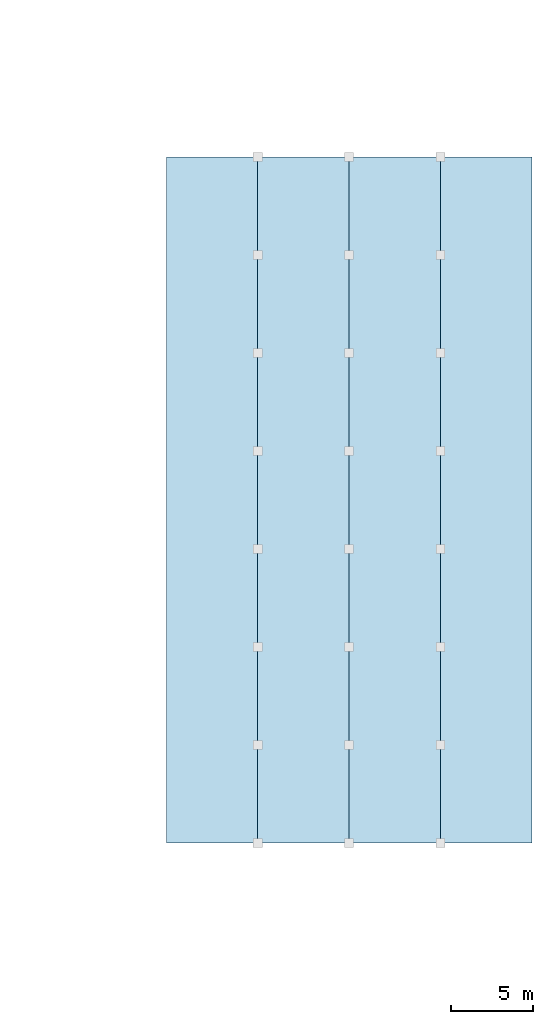
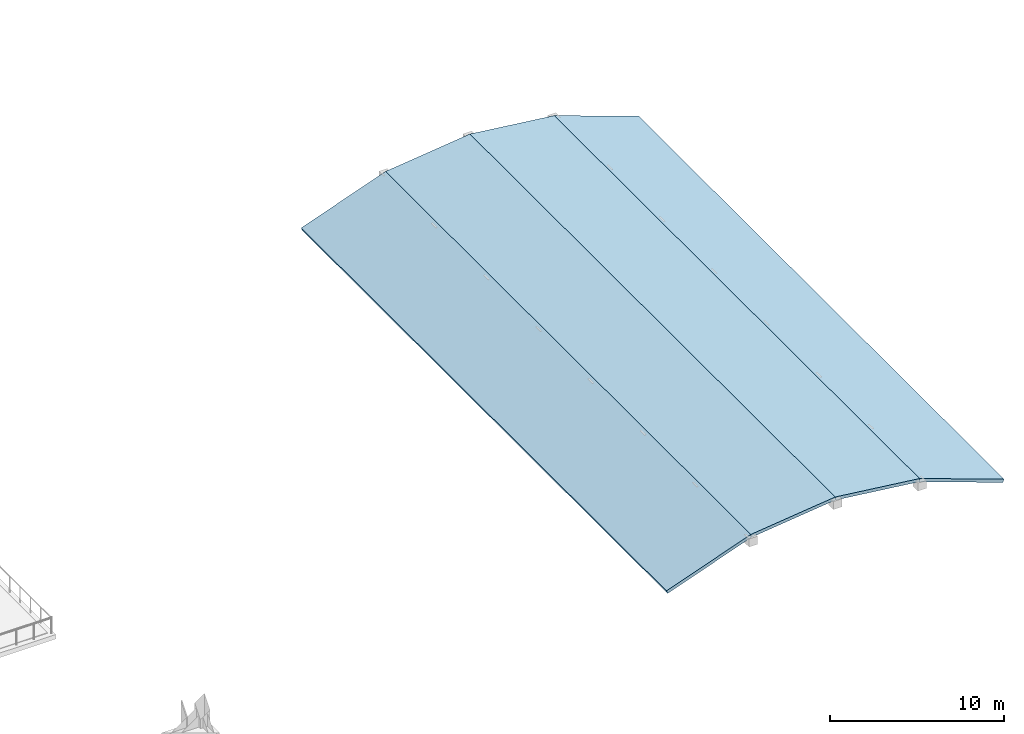
# One storey, part 58 of 90: 4 slabs.
"""IFC4 building model written with IfcOpenShell, lengths in metres."""

import ifcopenshell
import ifcopenshell.guid

model = None  # the IFC model being written
_history = None  # IfcOwnerHistory: only IFC2X3 demands one
_inside = {}  # id of a spatial element -> (the spatial element, [elements in it])
_under = {}  # id of a project, library or spatial element -> (it, [spatial elements below it])
_declared = {}  # id of a project -> (the project, [libraries it declares])
_typed = {}  # id of a type object -> (the type object, [elements of that type])
_made_of = {}  # id of a material, layer set ... -> (it, [elements and type objects made of it])


def new_model(schema):
    """Start an empty IFC model of exactly this schema.

    Asked for "IFC4X3", IfcOpenShell would pick the latest addendum, in which some entities
    have other attributes; the version numbers below select the first issue.
    IFC2X3 requires an IfcOwnerHistory on every rooted entity: one is made here for all.
    """
    global model, _history
    if schema == "IFC4X3":
        model = ifcopenshell.file(schema_version=(4, 3, 0, 0))
    else:
        model = ifcopenshell.file(schema=schema)
    _inside.clear()
    _under.clear()
    _declared.clear()
    _typed.clear()
    _made_of.clear()
    _history = None
    if model.schema == "IFC2X3":
        org = make("IfcOrganization", Name="unknown")
        user = make(
            "IfcPersonAndOrganization",
            ThePerson=make("IfcPerson", FamilyName="unknown"),
            TheOrganization=org,
        )
        app = make(
            "IfcApplication",
            ApplicationDeveloper=org,
            Version="unknown",
            ApplicationFullName="unknown",
            ApplicationIdentifier="unknown",
        )
        _history = make(
            "IfcOwnerHistory",
            OwningUser=user,
            OwningApplication=app,
            ChangeAction="ADDED",
            CreationDate=0,
        )
    return model


def make(cls, **values):
    """One entity of the class cls with the attributes given. An attribute that is None is left unset."""
    return model.create_entity(
        cls, **{name: value for name, value in values.items() if value is not None}
    )


def rooted(cls, **values):
    """An entity with a GlobalId (a new one), such as an element, a storey or a relation."""
    return make(cls, GlobalId=ifcopenshell.guid.new(), OwnerHistory=_history, **values)


def si_unit(unit_type, name, prefix=None):
    """IfcSIUnit, for example si_unit("LENGTHUNIT", "METRE", prefix="MILLI")."""
    return make("IfcSIUnit", UnitType=unit_type, Prefix=prefix, Name=name)


def assignment(units):
    """IfcUnitAssignment: the units of a project."""
    return None if units is None else make("IfcUnitAssignment", Units=units)


def point(xyz):
    """IfcCartesianPoint."""
    return None if xyz is None else make("IfcCartesianPoint", Coordinates=xyz)


def direction(xyz):
    """IfcDirection."""
    return None if xyz is None else make("IfcDirection", DirectionRatios=xyz)


def frame(location, z_axis=None, x_axis=None):
    """IfcAxis2Placement3D, a coordinate frame: its origin and axes. An axis left out is left unset."""
    return make(
        "IfcAxis2Placement3D",
        Location=point(location),
        Axis=direction(z_axis),
        RefDirection=direction(x_axis),
    )


def origin():
    """The frame at (0, 0, 0) with its axes left unset."""
    return frame((0.0, 0.0, 0.0))


def place(relative_to, where):
    """IfcLocalPlacement: puts the frame where relative to a parent placement (None: the world)."""
    return make(
        "IfcLocalPlacement", PlacementRelTo=relative_to, RelativePlacement=where
    )


def context(
    kind, dimensions, precision=None, world=None, true_north=None, identifier=None
):
    """IfcGeometricRepresentationContext, for example the 3D "Model" context."""
    return make(
        "IfcGeometricRepresentationContext",
        ContextIdentifier=identifier,
        ContextType=kind,
        CoordinateSpaceDimension=dimensions,
        Precision=precision,
        WorldCoordinateSystem=world,
        TrueNorth=true_north,
    )


def subcontext(parent, identifier, kind, view, scale=None):
    """IfcGeometricRepresentationSubContext, for example "Body" below "Model"."""
    return make(
        "IfcGeometricRepresentationSubContext",
        ContextIdentifier=identifier,
        ContextType=kind,
        ParentContext=parent,
        TargetScale=scale,
        TargetView=view,
    )


def project(units=None, contexts=None):
    """IfcProject with its units and contexts."""
    return rooted(
        "IfcProject",
        Name="project",
        RepresentationContexts=contexts,
        UnitsInContext=assignment(units),
    )


def spatial(cls, under=None, at=None, **own):
    """A site, building, storey or space (cls), placed at a placement, below another one or the project."""
    s = rooted(cls, ObjectPlacement=at, **own)
    if under is not None:
        _under.setdefault(under.id(), (under, []))[1].append(s)
    return s


def polyline(points):
    """IfcPolyline through the points."""
    return make("IfcPolyline", Points=[point(p) for p in points])


def outline(outer, holes=None, kind="AREA"):
    """IfcArbitraryClosedProfileDef: a profile drawn as a closed curve; with holes, ...WithVoids."""
    if holes is None:
        return make("IfcArbitraryClosedProfileDef", ProfileType=kind, OuterCurve=outer)
    return make(
        "IfcArbitraryProfileDefWithVoids",
        ProfileType=kind,
        OuterCurve=outer,
        InnerCurves=holes,
    )


def extrude(swept, where, along, depth):
    """IfcExtrudedAreaSolid: the profile swept, set in the frame where, extruded along a direction by depth."""
    return make(
        "IfcExtrudedAreaSolid",
        SweptArea=swept,
        Position=where,
        ExtrudedDirection=direction(along),
        Depth=depth,
    )


def shape(context_of_items, identifier, shape_type, items):
    """IfcShapeRepresentation: the items that make up one representation, for example the "Body"."""
    return make(
        "IfcShapeRepresentation",
        ContextOfItems=context_of_items,
        RepresentationIdentifier=identifier,
        RepresentationType=shape_type,
        Items=items,
    )


def material(Name=None, Category=None):
    """IfcMaterial."""
    return make("IfcMaterial", Name=Name, Category=Category)


def layer(
    of_material, thickness, ventilated=None, Name=None, Category=None, Priority=None
):
    """IfcMaterialLayer: one layer of a wall or slab, of a material (None: an air gap)."""
    return make(
        "IfcMaterialLayer",
        Material=of_material,
        LayerThickness=thickness,
        IsVentilated=ventilated,
        Name=Name,
        Category=Category,
        Priority=Priority,
    )


def layer_set(layers, Name=None):
    """IfcMaterialLayerSet."""
    return make("IfcMaterialLayerSet", MaterialLayers=layers, LayerSetName=Name)


def made_of(thing, what):
    """Note that an element or type object is made of a material, layer set ...; save() writes the relation."""
    if what is not None:
        _made_of.setdefault(what.id(), (what, []))[1].append(thing)
    return thing


def type_object(cls, material=None, **own):
    """A type object (cls), such as IfcWallType, which elements share."""
    return made_of(rooted(cls, **own), material)


def element(
    cls,
    number,
    at=None,
    inside=None,
    cuts=None,
    type_object=None,
    material=None,
    context=None,
    identifier="Body",
    shape_type=None,
    held_by="IfcProductDefinitionShape",
    body=None,
    shapes=None,
    **own,
):
    """One element of the class cls, such as IfcWall. Its Tag is "e" and its number.

    at: its placement. inside: the storey or other place that contains it. cuts: it is an
    opening in that element (IfcRelVoidsElement). A single representation is given by context,
    identifier, shape_type and body (its items); several are given by shapes. held_by: the class
    of the entity that holds the representations. save() writes the other relations.
    """
    e = rooted(cls, Tag="e%d" % number, ObjectPlacement=at, **own)
    if body is not None:
        shapes = [shape(context, identifier, shape_type, body)]
    if shapes is not None:
        e.Representation = make(held_by, Representations=shapes)
    if inside is not None:
        _inside.setdefault(inside.id(), (inside, []))[1].append(e)
    if cuts is not None:
        rooted(
            "IfcRelVoidsElement", RelatingBuildingElement=cuts, RelatedOpeningElement=e
        )
    if type_object is not None:
        _typed.setdefault(type_object.id(), (type_object, []))[1].append(e)
    return made_of(e, material)


def aggregate(whole, parts):
    """IfcRelAggregates: a whole, such as a stair, and the parts it consists of."""
    return rooted("IfcRelAggregates", RelatingObject=whole, RelatedObjects=parts)


def save(model, path):
    """Write the relations noted so far, then the file.

    IfcRelAggregates (storeys below a building ...), IfcRelContainedInSpatialStructure (elements
    in a storey), IfcRelDefinesByType, IfcRelAssociatesMaterial and IfcRelDeclares: one each for
    every whole, place, type object, material and project.
    """
    for whole, parts in _under.values():
        aggregate(whole, parts)
    for where, things in _inside.values():
        rooted(
            "IfcRelContainedInSpatialStructure",
            RelatedElements=things,
            RelatingStructure=where,
        )
    for kind, things in _typed.values():
        rooted("IfcRelDefinesByType", RelatedObjects=things, RelatingType=kind)
    for what, things in _made_of.values():
        rooted("IfcRelAssociatesMaterial", RelatedObjects=things, RelatingMaterial=what)
    for by, libraries in _declared.values():
        rooted("IfcRelDeclares", RelatingContext=by, RelatedDefinitions=libraries)
    model.write(path)


model = new_model("IFC4")

# Units and contexts
model_context = context("Model", 3, precision=1e-05, world=origin(), true_north=direction((0.0, 1.0)))
body_context = subcontext(model_context, "Body", "Model", "MODEL_VIEW")
ifc_project = project(units=[si_unit("LENGTHUNIT", "METRE"), si_unit("AREAUNIT", "SQUARE_METRE"), si_unit("VOLUMEUNIT", "CUBIC_METRE"), si_unit("PLANEANGLEUNIT", "RADIAN"), si_unit("MASSUNIT", "GRAM", prefix="KILO")], contexts=[model_context])

# Site, building, storey
site_placement = place(None, origin())
site = spatial("IfcSite", under=ifc_project, at=site_placement, CompositionType="ELEMENT")
building_placement = place(site_placement, origin())
building = spatial("IfcBuilding", under=site, at=building_placement, Name="Trelvath General Hospital", CompositionType="ELEMENT")
storey_placement = place(building_placement, frame((0.0, 0.0, 20.39990234375)))
storey = spatial("IfcBuildingStorey", under=building, at=storey_placement, Name="L05", CompositionType="ELEMENT", Elevation=20.39990234375)

# Slabs
ifc_material = material(Name="Concrete C35/45", Category="concrete")
ifc_layer = layer(ifc_material, 0.219970703125)
ifc_layer_set = layer_set([ifc_layer], Name="Concrete C35/45")
slab_type = type_object("IfcSlabType", Name="RoofSlab Folded220", PredefinedType="ROOF", material=ifc_layer_set)
slab_1_placement = place(storey_placement, frame((148.39990234375, 25.199951171875, -1.426513671875), z_axis=(-0.336331195321, 0.0, 0.94174376932), x_axis=(0.94174376932, 0.0, 0.336331195321)))
element("IfcSlab", 1, at=slab_1_placement, inside=storey, type_object=slab_type, Name="Space Frame Vaulted Roof Facet 2", PredefinedType="ROOF", context=body_context, shape_type="SweptSolid", body=[
    extrude(outline(polyline([(0.0, 0.0), (5.946519466001667, 0.0), (5.946519466001667, 42.0), (0.0, 42.0), (0.0, 0.0)])), origin(), (0.0, 0.0, -1.0), 0.219970703125),
])
slab_2_placement = place(storey_placement, frame((154.0, 25.199951171875, 0.573486328125), z_axis=(-0.118182400225, 0.0, 0.99299190343), x_axis=(0.99299190343, 0.0, 0.118182400225)))
element("IfcSlab", 2, at=slab_2_placement, inside=storey, type_object=slab_type, Name="Space Frame Vaulted Roof Facet 3", PredefinedType="ROOF", context=body_context, shape_type="SweptSolid", body=[
    extrude(outline(polyline([(0.0, 0.0), (5.639620662472189, 0.0), (5.639620662472189, 42.0), (0.0, 42.0), (0.0, 0.0)])), origin(), (0.0, 0.0, -1.0), 0.219970703125),
])
slab_3_placement = place(storey_placement, frame((159.60009765625, 25.199951171875, 1.239990234375), z_axis=(0.118187480734, 0.0, 0.992991298752), x_axis=(0.992991298752, 0.0, -0.118187480734)))
element("IfcSlab", 3, at=slab_3_placement, inside=storey, type_object=slab_type, Name="Space Frame Vaulted Roof Facet 4", PredefinedType="ROOF", context=body_context, shape_type="SweptSolid", body=[
    extrude(outline(polyline([(0.0, 0.0), (5.639378232882078, 0.0), (5.639378232882078, 42.00000000000001), (0.0, 42.00000000000001), (0.0, 0.0)])), origin(), (0.0, 0.0, -1.0), 0.219970703125),
])
slab_4_placement = place(storey_placement, frame((165.199951171875, 25.199951171875, 0.573486328125), z_axis=(0.336331195321, 0.0, 0.94174376932), x_axis=(0.94174376932, 0.0, -0.336331195321)))
element("IfcSlab", 4, at=slab_4_placement, inside=storey, type_object=slab_type, Name="Space Frame Vaulted Roof Facet 5", PredefinedType="ROOF", context=body_context, shape_type="SweptSolid", body=[
    extrude(outline(polyline([(0.0, 0.0), (5.946519466001667, 0.0), (5.946519466001667, 42.0), (0.0, 42.0), (0.0, 0.0)])), origin(), (0.0, 0.0, -1.0), 0.219970703125),
])

save(model, "model.ifc")
